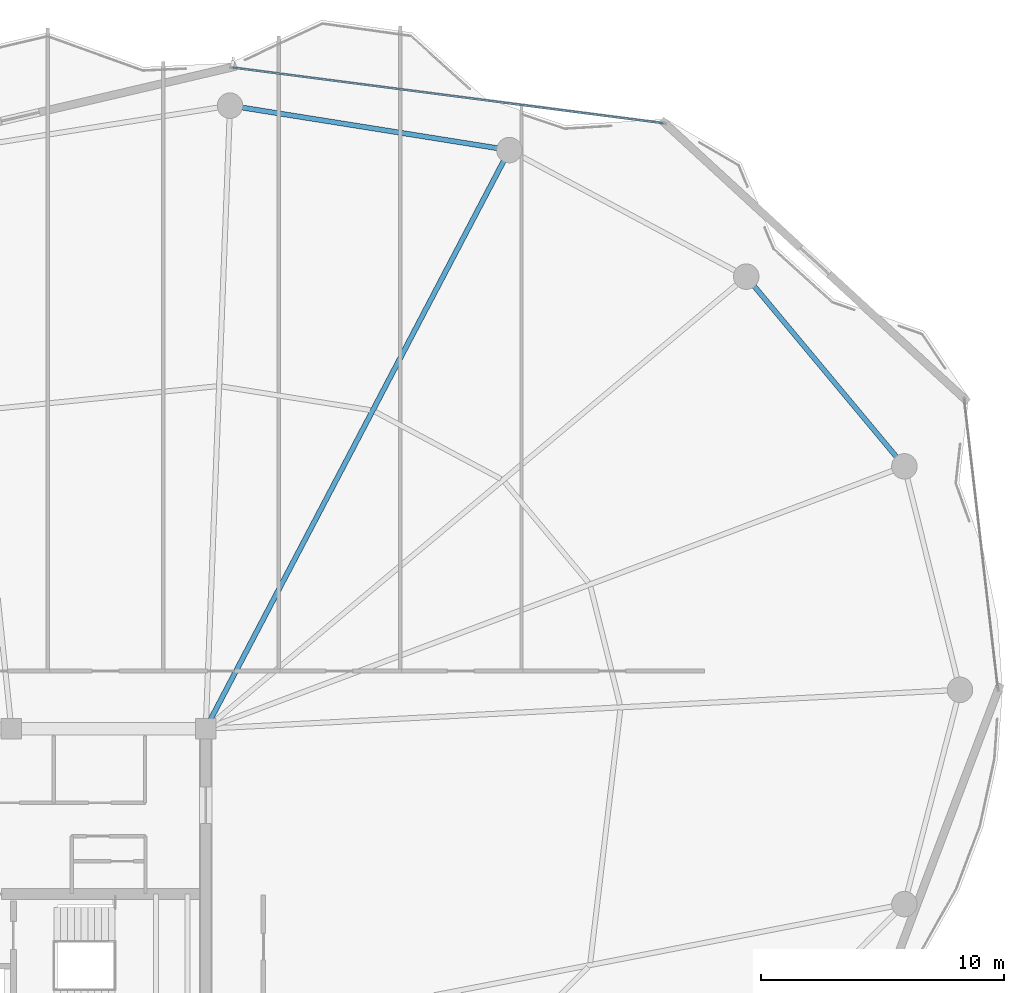
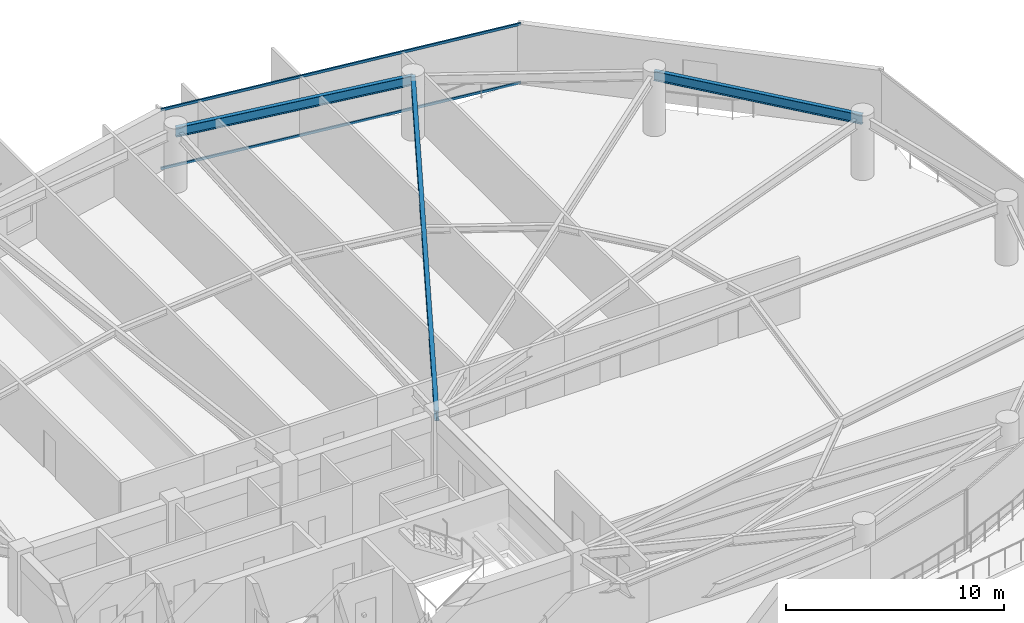
# One storey, part 21 of 30: 3 beams, 2 members, 1 element without a shape of its own.
"""IFC4 building model written with IfcOpenShell, lengths in metres."""

from ifc_helpers import new_model, si_unit, direction, frame, origin, origin_2d, place, context, subcontext, project, spatial, hollow_rectangle, i_section, extrude, material, layer, layer_set, material_profile, profile_set, type_object, element, aggregate, save


model = new_model("IFC4")

# Units and contexts
model_context = context("Model", 3, precision=1e-05, world=origin(), true_north=direction((0.0, 1.0)))
body_context = subcontext(model_context, "Body", "Model", "MODEL_VIEW")
ifc_project = project(units=[si_unit("LENGTHUNIT", "METRE"), si_unit("AREAUNIT", "SQUARE_METRE"), si_unit("VOLUMEUNIT", "CUBIC_METRE"), si_unit("PLANEANGLEUNIT", "RADIAN"), si_unit("MASSUNIT", "GRAM", prefix="KILO")], contexts=[model_context])

# Site, building, storey
site_placement = place(None, origin())
site = spatial("IfcSite", under=ifc_project, at=site_placement, CompositionType="ELEMENT")
building_placement = place(site_placement, origin())
building = spatial("IfcBuilding", under=site, at=building_placement, Name="Kazevale Care Tower and Concert Hall", CompositionType="ELEMENT")
storey_placement = place(building_placement, frame((0.0, 0.0, 242.39990234375)))
storey = spatial("IfcBuildingStorey", under=building, at=storey_placement, Name="L64", CompositionType="ELEMENT", Elevation=242.39990234375)

# Curtain wall, members
ifc_material_1 = material(Name="Aluminium 6063-T6 and Low-E Glass", Category="aluminium")
ifc_layer = layer(ifc_material_1, 0.179931640625)
ifc_layer_set = layer_set([ifc_layer], Name="Aluminium 6063-T6 and Low-E Glass")
curtain_wall_type = type_object("IfcCurtainWallType", Name="Waist & Upper Residential Curtain Wall CW-4", PredefinedType="NOTDEFINED", material=ifc_layer_set)
curtain_wall_placement = place(storey_placement, origin())
curtain_wall = element("IfcCurtainWall", 1, at=curtain_wall_placement, inside=storey, type_object=curtain_wall_type, Name="cw:L64:f16", PredefinedType="NOTDEFINED")
ifc_material_2 = material(Name="Aluminium 6063-T6", Category="aluminium")
ifc_material_profile_1 = material_profile(ifc_material_2, hollow_rectangle(XDim=0.080078125, YDim=0.139892578125, WallThickness=0.00390625, at=origin_2d()), Name="ALU80x140x4")
ifc_profile_set_1 = profile_set([ifc_material_profile_1], Name="Aluminium 6063-T6")
member_type = type_object("IfcMemberType", Name="CW-4 Transom ALU80x140x4", PredefinedType="USERDEFINED", material=ifc_profile_set_1)
member_1_placement = place(storey_placement, frame((45.123291015625, 63.61181640625, 0.0400390625), z_axis=(0.991760953967, -0.128102342625, 0.0), x_axis=(0.128102342625, 0.991760953967, 0.0)))
member_1 = element("IfcMember", 2, at=member_1_placement, type_object=member_type, Name="CW-4 transom 1.1", ObjectType="TRANSOM", PredefinedType="USERDEFINED", context=body_context, shape_type="SweptSolid", body=[
    extrude(hollow_rectangle(XDim=0.080078125, YDim=0.139892578125, WallThickness=0.00390625, at=origin_2d()), origin(), (0.0, 0.0, 1.0), 17.857666015625),
])
member_2_placement = place(storey_placement, frame((45.123291015625, 63.61181640625, 3.320068359375), z_axis=(0.991760953967, -0.128102342625, 0.0), x_axis=(0.128102342625, 0.991760953967, 0.0)))
member_2 = element("IfcMember", 3, at=member_2_placement, type_object=member_type, Name="CW-4 transom 1.2", ObjectType="TRANSOM", PredefinedType="USERDEFINED", context=body_context, shape_type="SweptSolid", body=[
    extrude(hollow_rectangle(XDim=0.080078125, YDim=0.139892578125, WallThickness=0.00390625, at=origin_2d()), origin(), (0.0, 0.0, 1.0), 17.857666015625),
])
aggregate(curtain_wall, [member_1, member_2])

# Beams
ifc_material_3 = material(Name="Steel ASTM A572 Gr 50", Category="steel")
ifc_material_profile_2 = material_profile(ifc_material_3, i_section(OverallWidth=0.2119140625, OverallDepth=0.5439453125, WebThickness=0.01318359375, FlangeThickness=0.021240234375, at=origin_2d()), Name="W530x123")
ifc_profile_set_2 = profile_set([ifc_material_profile_2], Name="Steel ASTM A572 Gr 50")
beam_type_1 = type_object("IfcBeamType", Name="Radial Floor Girder W530x123", PredefinedType="BEAM", material=ifc_profile_set_2)
beam_1_placement = place(storey_placement, frame((44.0, 36.39990234375, 3.088134765625), z_axis=(0.464672566396, 0.885482583702, 0.0), x_axis=(-0.885482583702, 0.464672566396, 0.0)))
element("IfcBeam", 4, at=beam_1_placement, inside=storey, type_object=beam_type_1, Name="beam:L64:rad:04", PredefinedType="BEAM", context=body_context, shape_type="SweptSolid", body=[
    extrude(i_section(OverallWidth=0.2119140625, OverallDepth=0.5439453125, WebThickness=0.01318359375, FlangeThickness=0.021240234375, at=origin_2d()), origin(), (0.0, 0.0, 1.0), 26.900634765625),
])
ifc_material_profile_3 = material_profile(ifc_material_3, i_section(OverallWidth=0.208984375, OverallDepth=0.532958984375, WebThickness=0.01025390625, FlangeThickness=0.015625, at=origin_2d()), Name="W530x92")
ifc_profile_set_3 = profile_set([ifc_material_profile_3], Name="Steel ASTM A572 Gr 50")
beam_type_2 = type_object("IfcBeamType", Name="Upper Ring Beam W530x92", PredefinedType="BEAM", material=ifc_profile_set_3)
beam_2_placement = place(storey_placement, frame((72.760009765625, 47.199951171875, 3.093505859375), z_axis=(-0.640278868102, 0.768142546056, 0.0), x_axis=(-0.768142546056, -0.640278868102, 0.0)))
element("IfcBeam", 5, at=beam_2_placement, inside=storey, type_object=beam_type_2, Name="beam:L64:ring:02", PredefinedType="BEAM", context=body_context, shape_type="SweptSolid", body=[
    extrude(i_section(OverallWidth=0.208984375, OverallDepth=0.532958984375, WebThickness=0.01025390625, FlangeThickness=0.015625, at=origin_2d()), origin(), (0.0, 0.0, 1.0), 10.16748046875),
])
beam_3_placement = place(storey_placement, frame((56.5, 60.219970703125, 3.093505859375), z_axis=(-0.987573207584, 0.15715966296, 0.0), x_axis=(-0.15715966296, -0.987573207584, 0.0)))
element("IfcBeam", 6, at=beam_3_placement, inside=storey, type_object=beam_type_2, Name="beam:L64:ring:04", PredefinedType="BEAM", context=body_context, shape_type="SweptSolid", body=[
    extrude(i_section(OverallWidth=0.208984375, OverallDepth=0.532958984375, WebThickness=0.01025390625, FlangeThickness=0.015625, at=origin_2d()), origin(), (0.0, 0.0, 1.0), 11.644775390625),
])

save(model, "model.ifc")
